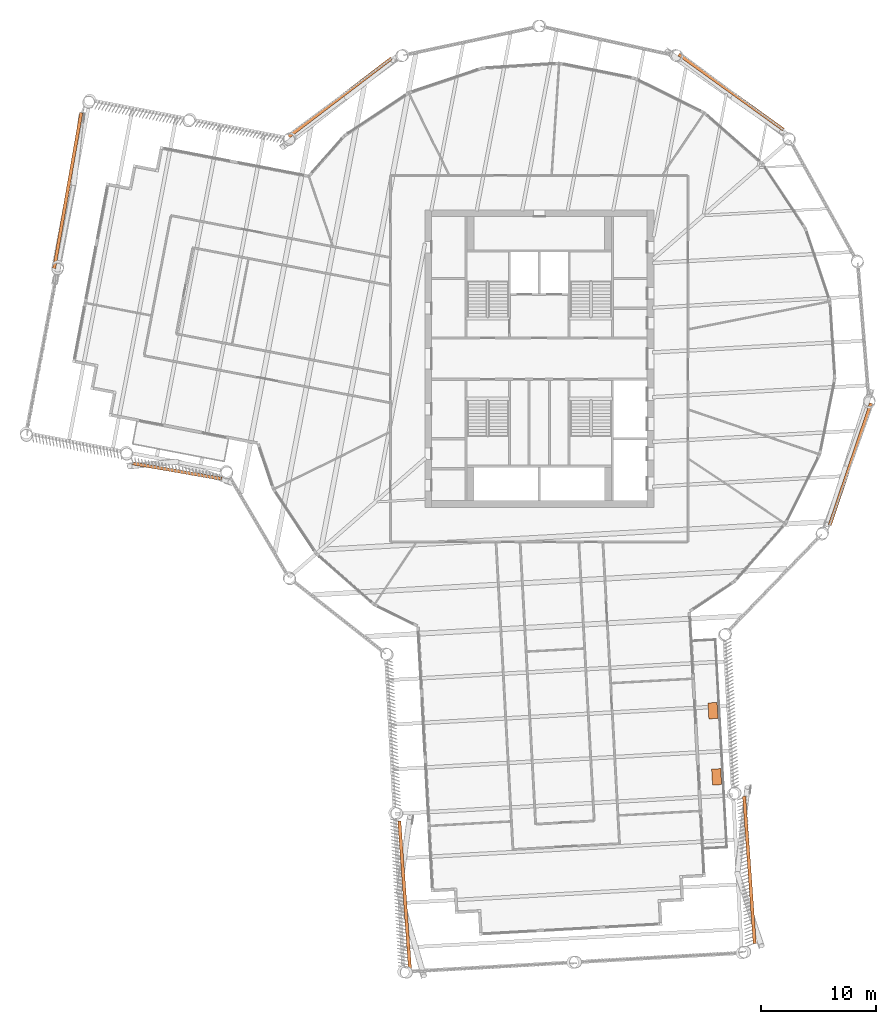
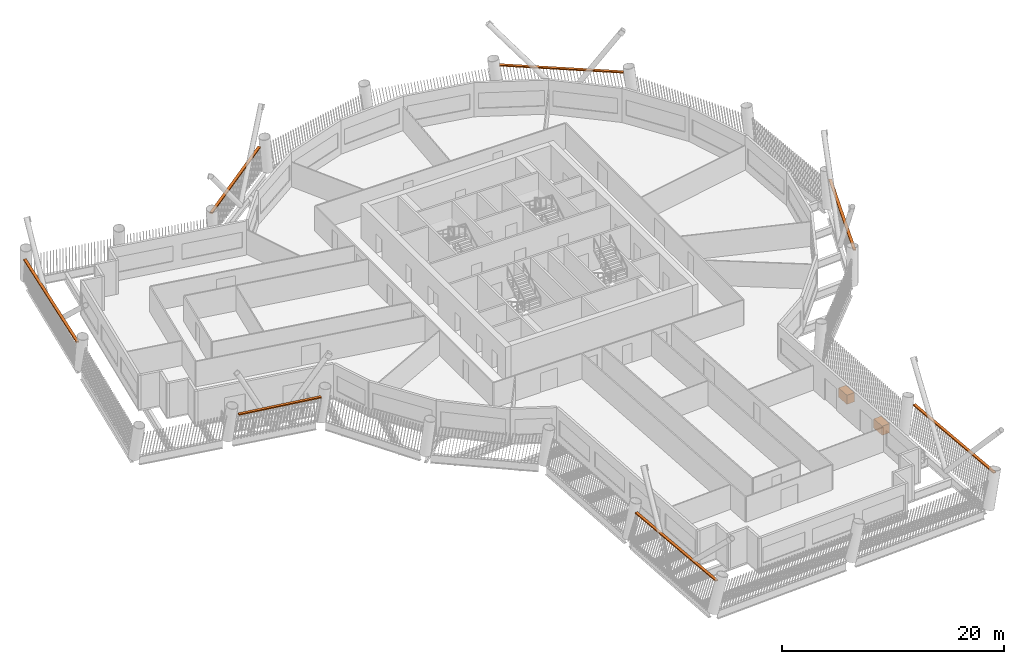
# One storey, part 23 of 23: 9 proxies.
"""IFC4 building model written with IfcOpenShell, lengths in metres."""

import ifcopenshell
import ifcopenshell.guid

model = None  # the IFC model being written
_history = None  # IfcOwnerHistory: only IFC2X3 demands one
_inside = {}  # id of a spatial element -> (the spatial element, [elements in it])
_under = {}  # id of a project, library or spatial element -> (it, [spatial elements below it])
_declared = {}  # id of a project -> (the project, [libraries it declares])
_typed = {}  # id of a type object -> (the type object, [elements of that type])
_made_of = {}  # id of a material, layer set ... -> (it, [elements and type objects made of it])


def new_model(schema):
    """Start an empty IFC model of exactly this schema.

    Asked for "IFC4X3", IfcOpenShell would pick the latest addendum, in which some entities
    have other attributes; the version numbers below select the first issue.
    IFC2X3 requires an IfcOwnerHistory on every rooted entity: one is made here for all.
    """
    global model, _history
    if schema == "IFC4X3":
        model = ifcopenshell.file(schema_version=(4, 3, 0, 0))
    else:
        model = ifcopenshell.file(schema=schema)
    _inside.clear()
    _under.clear()
    _declared.clear()
    _typed.clear()
    _made_of.clear()
    _history = None
    if model.schema == "IFC2X3":
        org = make("IfcOrganization", Name="unknown")
        user = make(
            "IfcPersonAndOrganization",
            ThePerson=make("IfcPerson", FamilyName="unknown"),
            TheOrganization=org,
        )
        app = make(
            "IfcApplication",
            ApplicationDeveloper=org,
            Version="unknown",
            ApplicationFullName="unknown",
            ApplicationIdentifier="unknown",
        )
        _history = make(
            "IfcOwnerHistory",
            OwningUser=user,
            OwningApplication=app,
            ChangeAction="ADDED",
            CreationDate=0,
        )
    return model


def make(cls, **values):
    """One entity of the class cls with the attributes given. An attribute that is None is left unset."""
    return model.create_entity(
        cls, **{name: value for name, value in values.items() if value is not None}
    )


def rooted(cls, **values):
    """An entity with a GlobalId (a new one), such as an element, a storey or a relation."""
    return make(cls, GlobalId=ifcopenshell.guid.new(), OwnerHistory=_history, **values)


def si_unit(unit_type, name, prefix=None):
    """IfcSIUnit, for example si_unit("LENGTHUNIT", "METRE", prefix="MILLI")."""
    return make("IfcSIUnit", UnitType=unit_type, Prefix=prefix, Name=name)


def assignment(units):
    """IfcUnitAssignment: the units of a project."""
    return None if units is None else make("IfcUnitAssignment", Units=units)


def point(xyz):
    """IfcCartesianPoint."""
    return None if xyz is None else make("IfcCartesianPoint", Coordinates=xyz)


def direction(xyz):
    """IfcDirection."""
    return None if xyz is None else make("IfcDirection", DirectionRatios=xyz)


def frame(location, z_axis=None, x_axis=None):
    """IfcAxis2Placement3D, a coordinate frame: its origin and axes. An axis left out is left unset."""
    return make(
        "IfcAxis2Placement3D",
        Location=point(location),
        Axis=direction(z_axis),
        RefDirection=direction(x_axis),
    )


def frame_2d(location, x_axis=None):
    """IfcAxis2Placement2D, a coordinate frame in the plane: its origin and x axis."""
    return make(
        "IfcAxis2Placement2D", Location=point(location), RefDirection=direction(x_axis)
    )


def origin():
    """The frame at (0, 0, 0) with its axes left unset."""
    return frame((0.0, 0.0, 0.0))


def origin_2d():
    """The frame at (0, 0) in the plane with its x axis left unset."""
    return frame_2d((0.0, 0.0))


def place(relative_to, where):
    """IfcLocalPlacement: puts the frame where relative to a parent placement (None: the world)."""
    return make(
        "IfcLocalPlacement", PlacementRelTo=relative_to, RelativePlacement=where
    )


def context(
    kind, dimensions, precision=None, world=None, true_north=None, identifier=None
):
    """IfcGeometricRepresentationContext, for example the 3D "Model" context."""
    return make(
        "IfcGeometricRepresentationContext",
        ContextIdentifier=identifier,
        ContextType=kind,
        CoordinateSpaceDimension=dimensions,
        Precision=precision,
        WorldCoordinateSystem=world,
        TrueNorth=true_north,
    )


def subcontext(parent, identifier, kind, view, scale=None):
    """IfcGeometricRepresentationSubContext, for example "Body" below "Model"."""
    return make(
        "IfcGeometricRepresentationSubContext",
        ContextIdentifier=identifier,
        ContextType=kind,
        ParentContext=parent,
        TargetScale=scale,
        TargetView=view,
    )


def project(units=None, contexts=None):
    """IfcProject with its units and contexts."""
    return rooted(
        "IfcProject",
        Name="project",
        RepresentationContexts=contexts,
        UnitsInContext=assignment(units),
    )


def spatial(cls, under=None, at=None, **own):
    """A site, building, storey or space (cls), placed at a placement, below another one or the project."""
    s = rooted(cls, ObjectPlacement=at, **own)
    if under is not None:
        _under.setdefault(under.id(), (under, []))[1].append(s)
    return s


def profile(cls, at=None, kind="AREA", **sizes):
    """A parametric profile (cls). Its sizes go by their IFC names, for example OverallWidth=200.0."""
    return make(cls, ProfileType=kind, Position=at, **sizes)


def rectangle(**sizes):
    """IfcRectangleProfileDef."""
    return profile("IfcRectangleProfileDef", **sizes)


def extrude(swept, where, along, depth):
    """IfcExtrudedAreaSolid: the profile swept, set in the frame where, extruded along a direction by depth."""
    return make(
        "IfcExtrudedAreaSolid",
        SweptArea=swept,
        Position=where,
        ExtrudedDirection=direction(along),
        Depth=depth,
    )


def shape(context_of_items, identifier, shape_type, items):
    """IfcShapeRepresentation: the items that make up one representation, for example the "Body"."""
    return make(
        "IfcShapeRepresentation",
        ContextOfItems=context_of_items,
        RepresentationIdentifier=identifier,
        RepresentationType=shape_type,
        Items=items,
    )


def material(Name=None, Category=None):
    """IfcMaterial."""
    return make("IfcMaterial", Name=Name, Category=Category)


def made_of(thing, what):
    """Note that an element or type object is made of a material, layer set ...; save() writes the relation."""
    if what is not None:
        _made_of.setdefault(what.id(), (what, []))[1].append(thing)
    return thing


def type_object(cls, material=None, **own):
    """A type object (cls), such as IfcWallType, which elements share."""
    return made_of(rooted(cls, **own), material)


def element(
    cls,
    number,
    at=None,
    inside=None,
    cuts=None,
    type_object=None,
    material=None,
    context=None,
    identifier="Body",
    shape_type=None,
    held_by="IfcProductDefinitionShape",
    body=None,
    shapes=None,
    **own,
):
    """One element of the class cls, such as IfcWall. Its Tag is "e" and its number.

    at: its placement. inside: the storey or other place that contains it. cuts: it is an
    opening in that element (IfcRelVoidsElement). A single representation is given by context,
    identifier, shape_type and body (its items); several are given by shapes. held_by: the class
    of the entity that holds the representations. save() writes the other relations.
    """
    e = rooted(cls, Tag="e%d" % number, ObjectPlacement=at, **own)
    if body is not None:
        shapes = [shape(context, identifier, shape_type, body)]
    if shapes is not None:
        e.Representation = make(held_by, Representations=shapes)
    if inside is not None:
        _inside.setdefault(inside.id(), (inside, []))[1].append(e)
    if cuts is not None:
        rooted(
            "IfcRelVoidsElement", RelatingBuildingElement=cuts, RelatedOpeningElement=e
        )
    if type_object is not None:
        _typed.setdefault(type_object.id(), (type_object, []))[1].append(e)
    return made_of(e, material)


def aggregate(whole, parts):
    """IfcRelAggregates: a whole, such as a stair, and the parts it consists of."""
    return rooted("IfcRelAggregates", RelatingObject=whole, RelatedObjects=parts)


def save(model, path):
    """Write the relations noted so far, then the file.

    IfcRelAggregates (storeys below a building ...), IfcRelContainedInSpatialStructure (elements
    in a storey), IfcRelDefinesByType, IfcRelAssociatesMaterial and IfcRelDeclares: one each for
    every whole, place, type object, material and project.
    """
    for whole, parts in _under.values():
        aggregate(whole, parts)
    for where, things in _inside.values():
        rooted(
            "IfcRelContainedInSpatialStructure",
            RelatedElements=things,
            RelatingStructure=where,
        )
    for kind, things in _typed.values():
        rooted("IfcRelDefinesByType", RelatedObjects=things, RelatingType=kind)
    for what, things in _made_of.values():
        rooted("IfcRelAssociatesMaterial", RelatedObjects=things, RelatingMaterial=what)
    for by, libraries in _declared.values():
        rooted("IfcRelDeclares", RelatingContext=by, RelatedDefinitions=libraries)
    model.write(path)


model = new_model("IFC4")

# Units and contexts
model_context = context("Model", 3, precision=1e-05, world=origin(), true_north=direction((0.0, 1.0)))
body_context = subcontext(model_context, "Body", "Model", "MODEL_VIEW")
ifc_project = project(units=[si_unit("LENGTHUNIT", "METRE"), si_unit("AREAUNIT", "SQUARE_METRE"), si_unit("VOLUMEUNIT", "CUBIC_METRE"), si_unit("PLANEANGLEUNIT", "RADIAN"), si_unit("MASSUNIT", "GRAM", prefix="KILO")], contexts=[model_context])

# Site, building, storey
site_placement = place(None, origin())
site = spatial("IfcSite", under=ifc_project, at=site_placement, CompositionType="ELEMENT")
building_placement = place(site_placement, origin())
building = spatial("IfcBuilding", under=site, at=building_placement, Name="Tarsis Ring Headquarters", CompositionType="ELEMENT")
storey_placement = place(building_placement, frame((0.0, 0.0, 239.39990234375)))
storey = spatial("IfcBuildingStorey", under=building, at=storey_placement, Name="L56", CompositionType="ELEMENT", Elevation=239.39990234375)

# Proxies
ifc_material_1 = material(Name="Structural steel S355", Category="steel")
building_element_proxy_type_1 = type_object("IfcBuildingElementProxyType", Name="Screen bracket plate", PredefinedType="USERDEFINED", material=ifc_material_1)
for number, where, z_axis, x_axis, name in (
    (1, (-11.761962890625, -46.81494140625, 2.949951171875), (0.0, 0.0, 1.0), (0.071845629893, -0.997415763594, 0.0), "Screen bracket L56-02"),
    (2, (18.35009765625, -44.64599609375, 2.949951171875), (0.0, 0.0, 1.0), (-0.071845612485, 0.997415764848, 0.0), "Screen bracket L56-05"),
):
    element("IfcBuildingElementProxy", number, at=place(storey_placement, frame(where, z_axis=z_axis, x_axis=x_axis)), inside=storey, type_object=building_element_proxy_type_1, Name=name, ObjectType="Bracket", PredefinedType="USERDEFINED", context=body_context, shape_type="SweptSolid", body=[
        extrude(rectangle(XDim=12.90234375, YDim=0.280029296875, at=origin_2d()), origin(), (0.0, 0.0, 1.0), 0.1201171875),
    ])
for number, where, z_axis, x_axis, name in (
    (3, (27.170166015625, -9.2158203125, 2.949951171875), (0.0, 0.0, 1.0), (0.321211795922, 0.947007382316, 0.0), "Screen bracket L56-08"),
    (4, (16.74560546875, 23.296630859375, 2.949951171875), (0.0, 0.0, 1.0), (-0.811994350228, 0.58366529381, 0.0), "Screen bracket L56-11"),
    (5, (-17.3935546875, 22.81689453125, 2.949951171875), (0.0, 0.0, 1.0), (-0.795275404131, -0.606248325016, 0.0), "Screen bracket L56-14"),
):
    element("IfcBuildingElementProxy", number, at=place(storey_placement, frame(where, z_axis=z_axis, x_axis=x_axis)), inside=storey, type_object=building_element_proxy_type_1, Name=name, ObjectType="Bracket", PredefinedType="USERDEFINED", context=body_context, shape_type="SweptSolid", body=[
        extrude(rectangle(XDim=11.248779296875, YDim=0.280029296875, at=origin_2d()), origin(), (0.0, 0.0, 1.0), 0.1201171875),
    ])
proxy_1_placement = place(storey_placement, frame((-41.18603515625, 14.684814453125, 2.949951171875), z_axis=(0.0, 0.0, 1.0), x_axis=(-0.171585187398, -0.985169286704, 0.0)))
element("IfcBuildingElementProxy", 6, at=proxy_1_placement, inside=storey, type_object=building_element_proxy_type_1, Name="Screen bracket L56-17", ObjectType="Bracket", PredefinedType="USERDEFINED", context=body_context, shape_type="SweptSolid", body=[
    extrude(rectangle(XDim=13.800048828125, YDim=0.280029296875, at=origin_2d()), origin(), (0.0, 0.0, 1.0), 0.1201171875),
])
proxy_2_placement = place(storey_placement, frame((-31.60009765625, -9.818603515625, 2.949951171875), z_axis=(0.0, 0.0, 1.0), x_axis=(0.985169271731, -0.171585273371, 0.0)))
element("IfcBuildingElementProxy", 7, at=proxy_2_placement, inside=storey, type_object=building_element_proxy_type_1, Name="Screen bracket L56-20", ObjectType="Bracket", PredefinedType="USERDEFINED", context=body_context, shape_type="SweptSolid", body=[
    extrude(rectangle(XDim=7.90234375, YDim=0.280029296875, at=origin_2d()), origin(), (0.0, 0.0, 1.0), 0.1201171875),
])
ifc_material_2 = material(Name="Planter soil mix and tree")
building_element_proxy_type_2 = type_object("IfcBuildingElementProxyType", Name="Tree planter", PredefinedType="USERDEFINED", material=ifc_material_2)
for number, where, z_axis, x_axis, name in (
    (8, (15.48681640625, -36.52001953125, 0.0), (0.0, 0.0, 1.0), (-0.055124413444, 0.998479493551, 0.0), "Tree planter L56-16.2"),
    (9, (15.167724609375, -30.740966796875, 0.0), (0.0, 0.0, 1.0), (-0.055124413444, 0.998479493551, 0.0), "Tree planter L56-16.3"),
):
    element("IfcBuildingElementProxy", number, at=place(storey_placement, frame(where, z_axis=z_axis, x_axis=x_axis)), inside=storey, type_object=building_element_proxy_type_2, Name=name, ObjectType="Planter", PredefinedType="USERDEFINED", context=body_context, shape_type="SweptSolid", body=[
        extrude(rectangle(XDim=1.39990234375, YDim=0.800048828125, at=origin_2d()), origin(), (0.0, 0.0, 1.0), 1.0),
    ])

save(model, "model.ifc")
